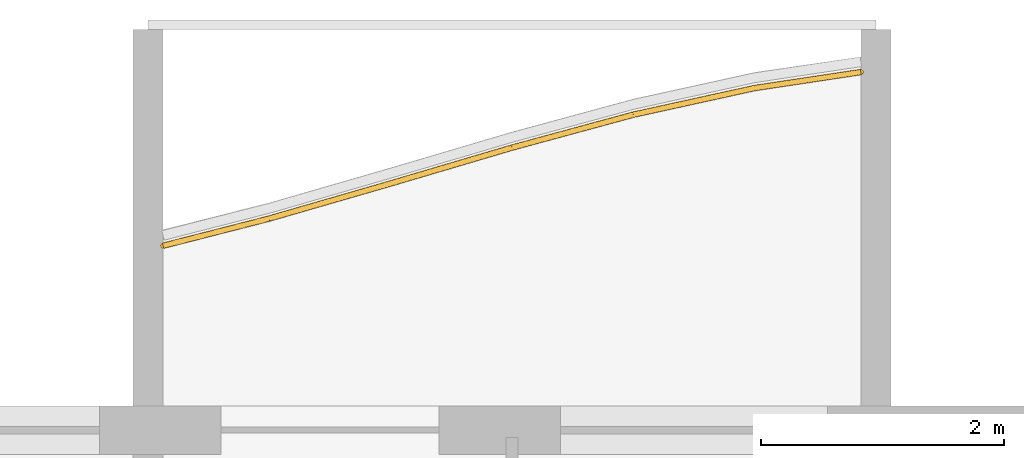
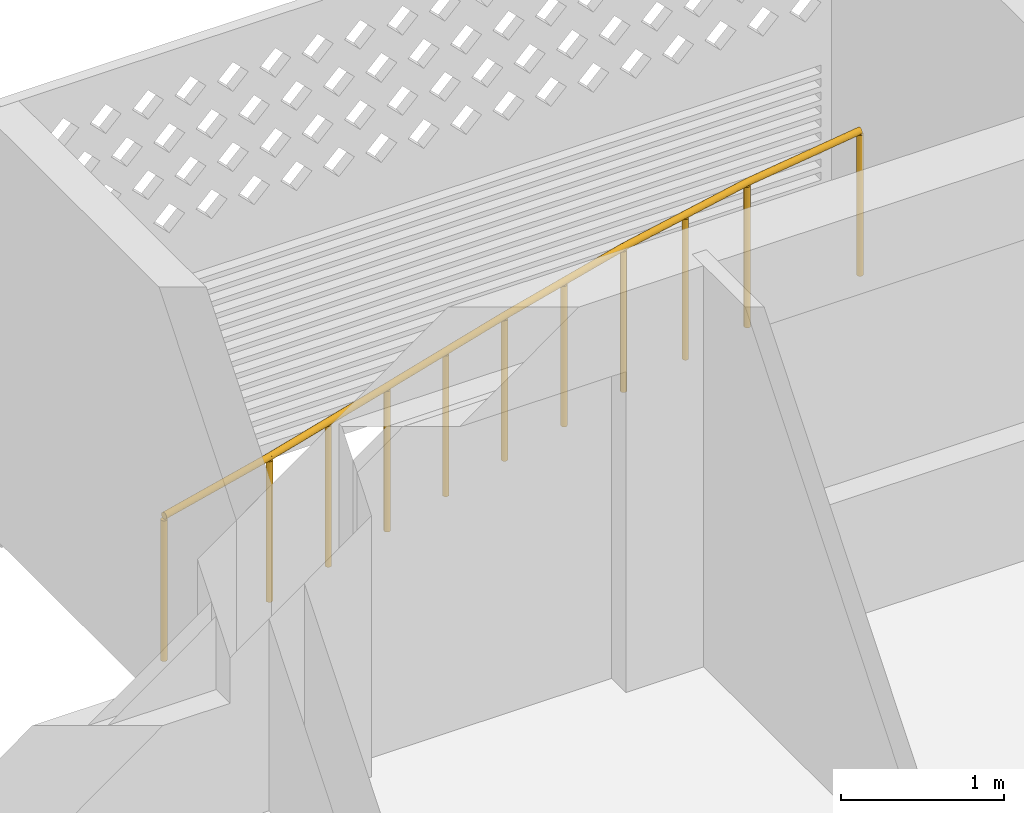
# One storey, part 26 of 27: 1 railing.
"""IFC4 building model written with IfcOpenShell, lengths in metres."""

from ifc_helpers import new_model, si_unit, direction, frame, origin, origin_2d, place, context, subcontext, project, spatial, circle, extrude, material, type_object, element, save


model = new_model("IFC4")

# Units and contexts
model_context = context("Model", 3, precision=1e-05, world=origin(), true_north=direction((0.0, 1.0)))
body_context = subcontext(model_context, "Body", "Model", "MODEL_VIEW")
ifc_project = project(units=[si_unit("LENGTHUNIT", "METRE"), si_unit("AREAUNIT", "SQUARE_METRE"), si_unit("VOLUMEUNIT", "CUBIC_METRE"), si_unit("PLANEANGLEUNIT", "RADIAN"), si_unit("MASSUNIT", "GRAM", prefix="KILO")], contexts=[model_context])

# Site, building, storey
site_placement = place(None, origin())
site = spatial("IfcSite", under=ifc_project, at=site_placement, CompositionType="ELEMENT")
building_placement = place(site_placement, origin())
building = spatial("IfcBuilding", under=site, at=building_placement, Name="Poui Terraces", CompositionType="ELEMENT")
storey_placement = place(building_placement, frame((0.0, 0.0, 208.199951171875)))
storey = spatial("IfcBuildingStorey", under=building, at=storey_placement, Name="L58", CompositionType="ELEMENT", Elevation=208.199951171875)

# Railing
ifc_material = material(Name="Painted steel fretwork", Category="steel")
railing_type = type_object("IfcRailingType", Name="BALCONY GUARD 1100", PredefinedType="GUARDRAIL", material=ifc_material)
railing_placement = place(storey_placement, frame((72.125, 42.7197265625, 0.0)))
element("IfcRailing", 1, at=railing_placement, inside=storey, type_object=railing_type, Name="BALCONY GUARD", PredefinedType="GUARDRAIL", context=body_context, shape_type="SweptSolid", body=[
    extrude(circle(Radius=0.02392578125, at=origin_2d()), frame((0.0, 0.0, 1.076171875), z_axis=(0.968727197282, 0.248128227429, 0.0), x_axis=(-0.248128227429, 0.968727197282, 0.0)), (0.0, 0.0, 1.0), 0.9033203125),
    extrude(circle(Radius=0.02392578125, at=origin_2d()), frame((0.875, 0.22412109375, 1.076171875), z_axis=(0.960669700127, 0.277693585193, 0.0), x_axis=(-0.277693585193, 0.960669700127, 0.0)), (0.0, 0.0, 1.0), 1.041015625),
    extrude(circle(Radius=0.02392578125, at=origin_2d()), frame((1.875, 0.51318359375, 1.076171875), z_axis=(0.959029275123, 0.283306988012, 0.0), x_axis=(-0.283306988012, 0.959029275123, 0.0)), (0.0, 0.0, 1.0), 1.042724609375),
    extrude(circle(Radius=0.02392578125, at=origin_2d()), frame((2.875, 0.80859375, 1.076171875), z_axis=(0.965067658743, 0.262000790167, 0.0), x_axis=(-0.262000790167, 0.965067658743, 0.0)), (0.0, 0.0, 1.0), 1.0361328125),
    extrude(circle(Radius=0.02392578125, at=origin_2d()), frame((3.875, 1.080078125, 1.076171875), z_axis=(0.97675043296, 0.214379550593, 0.0), x_axis=(-0.214379550593, 0.97675043296, 0.0)), (0.0, 0.0, 1.0), 1.023681640625),
    extrude(circle(Radius=0.02392578125, at=origin_2d()), frame((4.875, 1.299560546875, 1.076171875), z_axis=(0.988879613557, 0.148718223133, 0.0), x_axis=(-0.148718223133, 0.988879613557, 0.0)), (0.0, 0.0, 1.0), 0.884765625),
    extrude(circle(Radius=0.02099609375, at=origin_2d()), origin(), (0.0, 0.0, 1.0), 1.052001953125),
    extrude(circle(Radius=0.02099609375, at=origin_2d()), frame((0.875, 0.22412109375, 0.0)), (0.0, 0.0, 1.0), 1.052001953125),
    extrude(circle(Radius=0.02099609375, at=origin_2d()), frame((1.375, 0.36865234375, 0.0)), (0.0, 0.0, 1.0), 1.052001953125),
    extrude(circle(Radius=0.02099609375, at=origin_2d()), frame((1.875, 0.51318359375, 0.0)), (0.0, 0.0, 1.0), 1.052001953125),
    extrude(circle(Radius=0.02099609375, at=origin_2d()), frame((2.375, 0.660888671875, 0.0)), (0.0, 0.0, 1.0), 1.052001953125),
    extrude(circle(Radius=0.02099609375, at=origin_2d()), frame((2.875, 0.80859375, 0.0)), (0.0, 0.0, 1.0), 1.052001953125),
    extrude(circle(Radius=0.02099609375, at=origin_2d()), frame((3.375, 0.9443359375, 0.0)), (0.0, 0.0, 1.0), 1.052001953125),
    extrude(circle(Radius=0.02099609375, at=origin_2d()), frame((3.875, 1.080078125, 0.0)), (0.0, 0.0, 1.0), 1.052001953125),
    extrude(circle(Radius=0.02099609375, at=origin_2d()), frame((4.375, 1.18994140625, 0.0)), (0.0, 0.0, 1.0), 1.052001953125),
    extrude(circle(Radius=0.02099609375, at=origin_2d()), frame((4.875, 1.299560546875, 0.0)), (0.0, 0.0, 1.0), 1.052001953125),
    extrude(circle(Radius=0.02099609375, at=origin_2d()), frame((5.75, 1.43115234375, 0.0)), (0.0, 0.0, 1.0), 1.052001953125),
])

save(model, "model.ifc")
